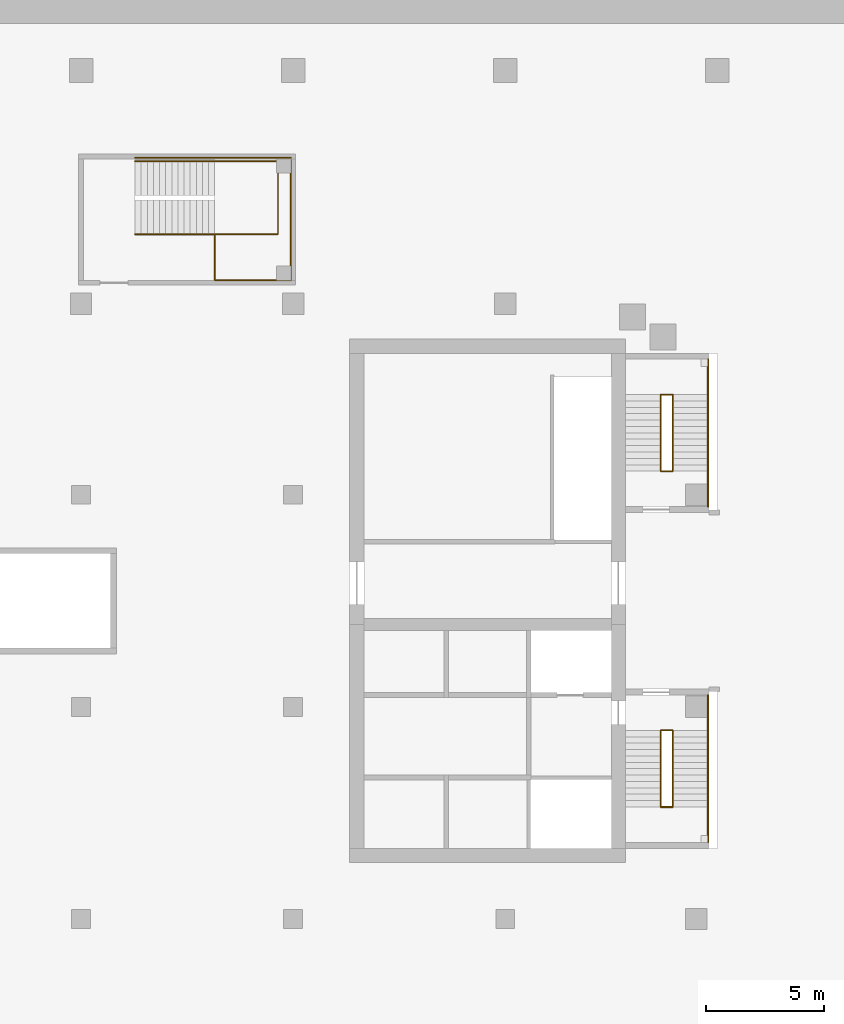
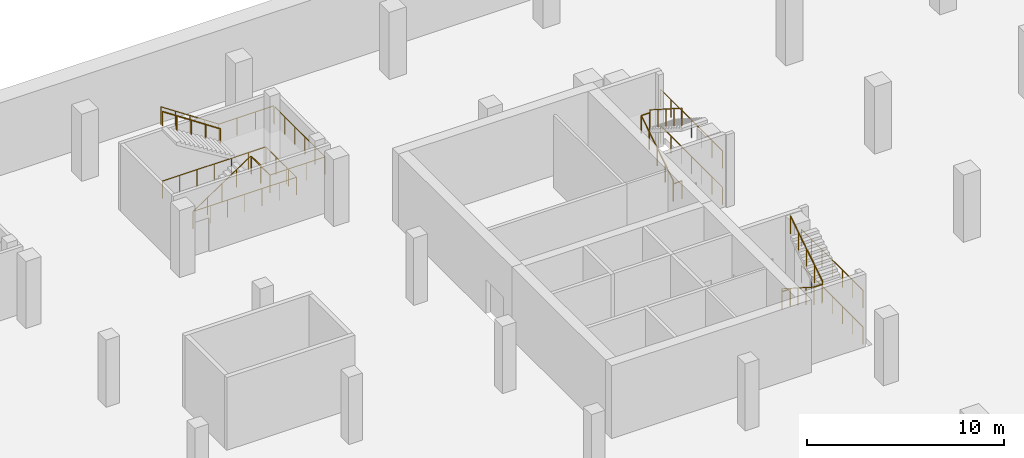
# One storey, part 13 of 16: 18 railings.
"""IFC4 building model written with IfcOpenShell, lengths in metres."""

from ifc_helpers import new_model, si_unit, direction, frame, origin, origin_2d, place, context, subcontext, project, spatial, circle, extrude, material, type_object, element, save


model = new_model("IFC4")

# Units and contexts
model_context = context("Model", 3, precision=1e-05, world=origin(), true_north=direction((0.0, 1.0)))
body_context = subcontext(model_context, "Body", "Model", "MODEL_VIEW")
ifc_project = project(units=[si_unit("LENGTHUNIT", "METRE"), si_unit("AREAUNIT", "SQUARE_METRE"), si_unit("VOLUMEUNIT", "CUBIC_METRE"), si_unit("PLANEANGLEUNIT", "RADIAN"), si_unit("MASSUNIT", "GRAM", prefix="KILO")], contexts=[model_context])

# Site, building, storey
site_placement = place(None, origin())
site = spatial("IfcSite", under=ifc_project, at=site_placement, CompositionType="ELEMENT")
building_placement = place(site_placement, origin())
building = spatial("IfcBuilding", under=site, at=building_placement, Name="Cinnabar Reach Civic Tower", CompositionType="ELEMENT")
storey_placement = place(building_placement, frame((0.0, 0.0, -9.5)))
storey = spatial("IfcBuildingStorey", under=building, at=storey_placement, Name="B2", CompositionType="ELEMENT", Elevation=-9.5)

# Railings
ifc_material_1 = material(Name="Stainless steel and glass", Category="steel")
railing_type_1 = type_object("IfcRailingType", Name="Podium guard 1100", PredefinedType="GUARDRAIL", material=ifc_material_1)
railing_1_placement = place(storey_placement, frame((-51.7, 47.05, 0.0)))
element("IfcRailing", 1, at=railing_1_placement, inside=storey, type_object=railing_type_1, Name="Stair guard PS7 B2", PredefinedType="GUARDRAIL", context=body_context, shape_type="SweptSolid", body=[
    extrude(circle(Radius=0.024, at=origin_2d()), frame((0.0, 0.0, 1.076), z_axis=(0.832428993721, 0.0, 0.554131726589), x_axis=(0.0, 1.0, 0.0)), (0.0, 0.0, 1.0), 4.0604),
    extrude(circle(Radius=0.021, at=origin_2d()), origin(), (0.0, 0.0, 1.0), 1.052),
    extrude(circle(Radius=0.021, at=origin_2d()), frame((0.845, 0.0, 0.5625)), (0.0, 0.0, 1.0), 1.052),
    extrude(circle(Radius=0.021, at=origin_2d()), frame((1.69, 0.0, 1.125)), (0.0, 0.0, 1.0), 1.052),
    extrude(circle(Radius=0.021, at=origin_2d()), frame((2.535, 0.0, 1.6875)), (0.0, 0.0, 1.0), 1.052),
    extrude(circle(Radius=0.021, at=origin_2d()), frame((3.38, 0.0, 2.25)), (0.0, 0.0, 1.0), 1.052),
])
railing_2_placement = place(storey_placement, frame((-48.32, 45.1, 2.25)))
element("IfcRailing", 2, at=railing_2_placement, inside=storey, type_object=railing_type_1, Name="Landing guard PS7 B2", PredefinedType="GUARDRAIL", context=body_context, shape_type="SweptSolid", body=[
    extrude(circle(Radius=0.024, at=origin_2d()), frame((0.0, 0.0, 1.076), z_axis=(1.0, 0.0, 0.0), x_axis=(0.0, 1.0, 0.0)), (0.0, 0.0, 1.0), 3.22),
    extrude(circle(Radius=0.024, at=origin_2d()), frame((3.22, 0.0, 1.076), z_axis=(0.0, 1.0, 0.0), x_axis=(-1.0, 0.0, 0.0)), (0.0, 0.0, 1.0), 5.1),
    extrude(circle(Radius=0.021, at=origin_2d()), origin(), (0.0, 0.0, 1.0), 1.052),
    extrude(circle(Radius=0.021, at=origin_2d()), frame((1.0733, 0.0, 0.0)), (0.0, 0.0, 1.0), 1.052),
    extrude(circle(Radius=0.021, at=origin_2d()), frame((2.1467, 0.0, 0.0)), (0.0, 0.0, 1.0), 1.052),
    extrude(circle(Radius=0.021, at=origin_2d()), frame((3.22, 0.0, 0.0)), (0.0, 0.0, 1.0), 1.052),
    extrude(circle(Radius=0.021, at=origin_2d()), frame((3.22, 1.02, 0.0)), (0.0, 0.0, 1.0), 1.052),
    extrude(circle(Radius=0.021, at=origin_2d()), frame((3.22, 2.04, 0.0)), (0.0, 0.0, 1.0), 1.052),
    extrude(circle(Radius=0.021, at=origin_2d()), frame((3.22, 3.06, 0.0)), (0.0, 0.0, 1.0), 1.052),
    extrude(circle(Radius=0.021, at=origin_2d()), frame((3.22, 4.08, 0.0)), (0.0, 0.0, 1.0), 1.052),
    extrude(circle(Radius=0.021, at=origin_2d()), frame((3.22, 5.1, 0.0)), (0.0, 0.0, 1.0), 1.052),
])
railing_3_placement = place(storey_placement, frame((-48.32, 45.1, 2.25)))
element("IfcRailing", 3, at=railing_3_placement, inside=storey, type_object=railing_type_1, Name="Landing guard PS7 B2 inner", PredefinedType="GUARDRAIL", context=body_context, shape_type="SweptSolid", body=[
    extrude(circle(Radius=0.024, at=origin_2d()), frame((0.0, 0.0, 1.076), z_axis=(0.0, 1.0, 0.0), x_axis=(-1.0, 0.0, 0.0)), (0.0, 0.0, 1.0), 1.9),
    extrude(circle(Radius=0.021, at=origin_2d()), origin(), (0.0, 0.0, 1.0), 1.052),
    extrude(circle(Radius=0.021, at=origin_2d()), frame((0.0, 0.95, 0.0)), (0.0, 0.0, 1.0), 1.052),
    extrude(circle(Radius=0.021, at=origin_2d()), frame((0.0, 1.9, 0.0)), (0.0, 0.0, 1.0), 1.052),
])
railing_4_placement = place(storey_placement, frame((-45.1, 50.3, 2.25)))
element("IfcRailing", 4, at=railing_4_placement, inside=storey, type_object=railing_type_1, Name="Stair wall side guard PS7 B2", PredefinedType="GUARDRAIL", context=body_context, shape_type="SweptSolid", body=[
    extrude(circle(Radius=0.024, at=origin_2d()), frame((0.0, 0.0, 1.076), z_axis=(-1.0, 0.0, 0.0), x_axis=(0.0, -1.0, 0.0)), (0.0, 0.0, 1.0), 3.22),
    extrude(circle(Radius=0.024, at=origin_2d()), frame((-3.22, 0.0, 1.076), z_axis=(-0.832428993721, 0.0, 0.554131726589), x_axis=(0.0, -1.0, 0.0)), (0.0, 0.0, 1.0), 4.0604),
    extrude(circle(Radius=0.021, at=origin_2d()), origin(), (0.0, 0.0, 1.0), 1.052),
    extrude(circle(Radius=0.021, at=origin_2d()), frame((-1.0733, 0.0, 0.0)), (0.0, 0.0, 1.0), 1.052),
    extrude(circle(Radius=0.021, at=origin_2d()), frame((-2.1467, 0.0, 0.0)), (0.0, 0.0, 1.0), 1.052),
    extrude(circle(Radius=0.021, at=origin_2d()), frame((-3.22, 0.0, 0.0)), (0.0, 0.0, 1.0), 1.052),
    extrude(circle(Radius=0.021, at=origin_2d()), frame((-4.065, 0.0, 0.5625)), (0.0, 0.0, 1.0), 1.052),
    extrude(circle(Radius=0.021, at=origin_2d()), frame((-4.91, 0.0, 1.125)), (0.0, 0.0, 1.0), 1.052),
    extrude(circle(Radius=0.021, at=origin_2d()), frame((-5.755, 0.0, 1.6875)), (0.0, 0.0, 1.0), 1.052),
    extrude(circle(Radius=0.021, at=origin_2d()), frame((-6.6, 0.0, 2.25)), (0.0, 0.0, 1.0), 1.052),
])
railing_5_placement = place(storey_placement, frame((-51.7, 47.05, 0.0)))
element("IfcRailing", 5, at=railing_5_placement, inside=storey, type_object=railing_type_1, Name="Stair well guard PS7 B2", PredefinedType="GUARDRAIL", context=body_context, shape_type="SweptSolid", body=[
    extrude(circle(Radius=0.024, at=origin_2d()), frame((0.0, 0.0, 1.076), z_axis=(1.0, 0.0, 0.0), x_axis=(0.0, 1.0, 0.0)), (0.0, 0.0, 1.0), 6.05),
    extrude(circle(Radius=0.024, at=origin_2d()), frame((6.05, 0.0, 1.076), z_axis=(0.0, 1.0, 0.0), x_axis=(-1.0, 0.0, 0.0)), (0.0, 0.0, 1.0), 3.1),
    extrude(circle(Radius=0.024, at=origin_2d()), frame((6.05, 3.1, 1.076), z_axis=(-1.0, 0.0, 0.0), x_axis=(0.0, -1.0, 0.0)), (0.0, 0.0, 1.0), 6.05),
    extrude(circle(Radius=0.021, at=origin_2d()), origin(), (0.0, 0.0, 1.0), 1.052),
    extrude(circle(Radius=0.021, at=origin_2d()), frame((1.0083, 0.0, 0.0)), (0.0, 0.0, 1.0), 1.052),
    extrude(circle(Radius=0.021, at=origin_2d()), frame((2.0167, 0.0, 0.0)), (0.0, 0.0, 1.0), 1.052),
    extrude(circle(Radius=0.021, at=origin_2d()), frame((3.025, 0.0, 0.0)), (0.0, 0.0, 1.0), 1.052),
    extrude(circle(Radius=0.021, at=origin_2d()), frame((4.0333, 0.0, 0.0)), (0.0, 0.0, 1.0), 1.052),
    extrude(circle(Radius=0.021, at=origin_2d()), frame((5.0417, 0.0, 0.0)), (0.0, 0.0, 1.0), 1.052),
    extrude(circle(Radius=0.021, at=origin_2d()), frame((6.05, 0.0, 0.0)), (0.0, 0.0, 1.0), 1.052),
    extrude(circle(Radius=0.021, at=origin_2d()), frame((6.05, 1.0333, 0.0)), (0.0, 0.0, 1.0), 1.052),
    extrude(circle(Radius=0.021, at=origin_2d()), frame((6.05, 2.0667, 0.0)), (0.0, 0.0, 1.0), 1.052),
    extrude(circle(Radius=0.021, at=origin_2d()), frame((6.05, 3.1, 0.0)), (0.0, 0.0, 1.0), 1.052),
    extrude(circle(Radius=0.021, at=origin_2d()), frame((5.0417, 3.1, 0.0)), (0.0, 0.0, 1.0), 1.052),
    extrude(circle(Radius=0.021, at=origin_2d()), frame((4.0333, 3.1, 0.0)), (0.0, 0.0, 1.0), 1.052),
    extrude(circle(Radius=0.021, at=origin_2d()), frame((3.025, 3.1, 0.0)), (0.0, 0.0, 1.0), 1.052),
    extrude(circle(Radius=0.021, at=origin_2d()), frame((2.0167, 3.1, 0.0)), (0.0, 0.0, 1.0), 1.052),
    extrude(circle(Radius=0.021, at=origin_2d()), frame((1.0083, 3.1, 0.0)), (0.0, 0.0, 1.0), 1.052),
    extrude(circle(Radius=0.021, at=origin_2d()), frame((0.0, 3.1, 0.0)), (0.0, 0.0, 1.0), 1.052),
])
ifc_material_2 = material(Name="Stainless steel", Category="steel")
railing_type_2 = type_object("IfcRailingType", Name="Podium stair handrail 900", PredefinedType="HANDRAIL", material=ifc_material_2)
railing_6_placement = place(storey_placement, frame((-48.32, 50.15, 2.25)))
element("IfcRailing", 6, at=railing_6_placement, inside=storey, type_object=railing_type_2, Name="Stair handrail PS7 B2", PredefinedType="HANDRAIL", context=body_context, shape_type="SweptSolid", body=[
    extrude(circle(Radius=0.024, at=origin_2d()), frame((0.0, 0.0, 0.876), z_axis=(-0.832428993721, 0.0, 0.554131726589), x_axis=(0.0, -1.0, 0.0)), (0.0, 0.0, 1.0), 4.0604),
    extrude(circle(Radius=0.021, at=origin_2d()), origin(), (0.0, 0.0, 1.0), 0.852),
    extrude(circle(Radius=0.021, at=origin_2d()), frame((-0.845, 0.0, 0.5625)), (0.0, 0.0, 1.0), 0.852),
    extrude(circle(Radius=0.021, at=origin_2d()), frame((-1.69, 0.0, 1.125)), (0.0, 0.0, 1.0), 0.852),
    extrude(circle(Radius=0.021, at=origin_2d()), frame((-2.535, 0.0, 1.6875)), (0.0, 0.0, 1.0), 0.852),
    extrude(circle(Radius=0.021, at=origin_2d()), frame((-3.38, 0.0, 2.25)), (0.0, 0.0, 1.0), 0.852),
])
railing_type_3 = type_object("IfcRailingType", Name="T2 Stair guard 1100", PredefinedType="GUARDRAIL", material=ifc_material_2)
for number, where, name in (
    (7, (-27.4, 21.25, 0.0), "Stair guard 1"),
    (8, (-27.4, 21.25, 2.25), "Stair guard 1"),
):
    element("IfcRailing", number, at=place(storey_placement, frame(where)), inside=storey, type_object=railing_type_3, Name=name, PredefinedType="GUARDRAIL", context=body_context, shape_type="SweptSolid", body=[
        extrude(circle(Radius=0.024, at=origin_2d()), frame((0.0, 0.0, 1.076), z_axis=(0.0, 1.0, 0.0), x_axis=(-1.0, 0.0, 0.0)), (0.0, 0.0, 1.0), 6.25),
        extrude(circle(Radius=0.021, at=origin_2d()), origin(), (0.0, 0.0, 1.0), 1.052),
        extrude(circle(Radius=0.021, at=origin_2d()), frame((0.0, 1.0417, 0.0)), (0.0, 0.0, 1.0), 1.052),
        extrude(circle(Radius=0.021, at=origin_2d()), frame((0.0, 2.0833, 0.0)), (0.0, 0.0, 1.0), 1.052),
        extrude(circle(Radius=0.021, at=origin_2d()), frame((0.0, 3.125, 0.0)), (0.0, 0.0, 1.0), 1.052),
        extrude(circle(Radius=0.021, at=origin_2d()), frame((0.0, 4.1667, 0.0)), (0.0, 0.0, 1.0), 1.052),
        extrude(circle(Radius=0.021, at=origin_2d()), frame((0.0, 5.2083, 0.0)), (0.0, 0.0, 1.0), 1.052),
        extrude(circle(Radius=0.021, at=origin_2d()), frame((0.0, 6.25, 0.0)), (0.0, 0.0, 1.0), 1.052),
    ])
for number, where, name in (
    (9, (-29.4, 26.0, 0.0), "Stair guard 1"),
    (10, (-29.4, 22.75, 2.25), "Stair guard 1"),
):
    element("IfcRailing", number, at=place(storey_placement, frame(where)), inside=storey, type_object=railing_type_3, Name=name, PredefinedType="GUARDRAIL", context=body_context, shape_type="SweptSolid", body=[
        extrude(circle(Radius=0.024, at=origin_2d()), frame((0.0, 0.0, 1.076), z_axis=(1.0, 0.0, 0.0), x_axis=(0.0, 1.0, 0.0)), (0.0, 0.0, 1.0), 0.5),
        extrude(circle(Radius=0.021, at=origin_2d()), origin(), (0.0, 0.0, 1.0), 1.052),
        extrude(circle(Radius=0.021, at=origin_2d()), frame((0.5, 0.0, 0.0)), (0.0, 0.0, 1.0), 1.052),
    ])
railing_7_placement = place(storey_placement, frame((-29.4, 26.0, 0.1731)))
element("IfcRailing", 11, at=railing_7_placement, inside=storey, type_object=railing_type_3, Name="Stair guard 1", PredefinedType="GUARDRAIL", context=body_context, shape_type="SweptSolid", body=[
    extrude(circle(Radius=0.024, at=origin_2d()), frame((0.0, 0.0, 1.076), z_axis=(0.0, -0.842636131715, 0.538483379064), x_axis=(1.0, 0.0, 0.0)), (0.0, 0.0, 1.0), 3.8569),
    extrude(circle(Radius=0.021, at=origin_2d()), origin(), (0.0, 0.0, 1.0), 1.052),
    extrude(circle(Radius=0.021, at=origin_2d()), frame((0.0, -0.8125, 0.5192)), (0.0, 0.0, 1.0), 1.052),
    extrude(circle(Radius=0.021, at=origin_2d()), frame((0.0, -1.625, 1.0385)), (0.0, 0.0, 1.0), 1.052),
    extrude(circle(Radius=0.021, at=origin_2d()), frame((0.0, -2.4375, 1.5577)), (0.0, 0.0, 1.0), 1.052),
    extrude(circle(Radius=0.021, at=origin_2d()), frame((0.0, -3.25, 2.0769)), (0.0, 0.0, 1.0), 1.052),
])
railing_8_placement = place(storey_placement, frame((-28.9, 22.75, 2.4231)))
element("IfcRailing", 12, at=railing_8_placement, inside=storey, type_object=railing_type_3, Name="Stair guard 1", PredefinedType="GUARDRAIL", context=body_context, shape_type="SweptSolid", body=[
    extrude(circle(Radius=0.024, at=origin_2d()), frame((0.0, 0.0, 1.076), z_axis=(0.0, 0.842636131715, 0.538483379064), x_axis=(-1.0, 0.0, 0.0)), (0.0, 0.0, 1.0), 3.8569),
    extrude(circle(Radius=0.021, at=origin_2d()), origin(), (0.0, 0.0, 1.0), 1.052),
    extrude(circle(Radius=0.021, at=origin_2d()), frame((0.0, 0.8125, 0.5192)), (0.0, 0.0, 1.0), 1.052),
    extrude(circle(Radius=0.021, at=origin_2d()), frame((0.0, 1.625, 1.0385)), (0.0, 0.0, 1.0), 1.052),
    extrude(circle(Radius=0.021, at=origin_2d()), frame((0.0, 2.4375, 1.5577)), (0.0, 0.0, 1.0), 1.052),
    extrude(circle(Radius=0.021, at=origin_2d()), frame((0.0, 3.25, 2.0769)), (0.0, 0.0, 1.0), 1.052),
])
for number, where, name in (
    (13, (-27.4, 35.5, 0.0), "Stair guard 2"),
    (14, (-27.4, 35.5, 2.25), "Stair guard 2"),
):
    element("IfcRailing", number, at=place(storey_placement, frame(where)), inside=storey, type_object=railing_type_3, Name=name, PredefinedType="GUARDRAIL", context=body_context, shape_type="SweptSolid", body=[
        extrude(circle(Radius=0.024, at=origin_2d()), frame((0.0, 0.0, 1.076), z_axis=(0.0, 1.0, 0.0), x_axis=(-1.0, 0.0, 0.0)), (0.0, 0.0, 1.0), 6.25),
        extrude(circle(Radius=0.021, at=origin_2d()), origin(), (0.0, 0.0, 1.0), 1.052),
        extrude(circle(Radius=0.021, at=origin_2d()), frame((0.0, 1.0417, 0.0)), (0.0, 0.0, 1.0), 1.052),
        extrude(circle(Radius=0.021, at=origin_2d()), frame((0.0, 2.0833, 0.0)), (0.0, 0.0, 1.0), 1.052),
        extrude(circle(Radius=0.021, at=origin_2d()), frame((0.0, 3.125, 0.0)), (0.0, 0.0, 1.0), 1.052),
        extrude(circle(Radius=0.021, at=origin_2d()), frame((0.0, 4.1667, 0.0)), (0.0, 0.0, 1.0), 1.052),
        extrude(circle(Radius=0.021, at=origin_2d()), frame((0.0, 5.2083, 0.0)), (0.0, 0.0, 1.0), 1.052),
        extrude(circle(Radius=0.021, at=origin_2d()), frame((0.0, 6.25, 0.0)), (0.0, 0.0, 1.0), 1.052),
    ])
for number, where, name in (
    (15, (-29.4, 37.0, 0.0), "Stair guard 2"),
    (16, (-29.4, 40.25, 2.25), "Stair guard 2"),
):
    element("IfcRailing", number, at=place(storey_placement, frame(where)), inside=storey, type_object=railing_type_3, Name=name, PredefinedType="GUARDRAIL", context=body_context, shape_type="SweptSolid", body=[
        extrude(circle(Radius=0.024, at=origin_2d()), frame((0.0, 0.0, 1.076), z_axis=(1.0, 0.0, 0.0), x_axis=(0.0, 1.0, 0.0)), (0.0, 0.0, 1.0), 0.5),
        extrude(circle(Radius=0.021, at=origin_2d()), origin(), (0.0, 0.0, 1.0), 1.052),
        extrude(circle(Radius=0.021, at=origin_2d()), frame((0.5, 0.0, 0.0)), (0.0, 0.0, 1.0), 1.052),
    ])
railing_9_placement = place(storey_placement, frame((-29.4, 37.0, 0.1731)))
element("IfcRailing", 17, at=railing_9_placement, inside=storey, type_object=railing_type_3, Name="Stair guard 2", PredefinedType="GUARDRAIL", context=body_context, shape_type="SweptSolid", body=[
    extrude(circle(Radius=0.024, at=origin_2d()), frame((0.0, 0.0, 1.076), z_axis=(0.0, 0.842636131715, 0.538483379064), x_axis=(-1.0, 0.0, 0.0)), (0.0, 0.0, 1.0), 3.8569),
    extrude(circle(Radius=0.021, at=origin_2d()), origin(), (0.0, 0.0, 1.0), 1.052),
    extrude(circle(Radius=0.021, at=origin_2d()), frame((0.0, 0.8125, 0.5192)), (0.0, 0.0, 1.0), 1.052),
    extrude(circle(Radius=0.021, at=origin_2d()), frame((0.0, 1.625, 1.0385)), (0.0, 0.0, 1.0), 1.052),
    extrude(circle(Radius=0.021, at=origin_2d()), frame((0.0, 2.4375, 1.5577)), (0.0, 0.0, 1.0), 1.052),
    extrude(circle(Radius=0.021, at=origin_2d()), frame((0.0, 3.25, 2.0769)), (0.0, 0.0, 1.0), 1.052),
])
railing_10_placement = place(storey_placement, frame((-28.9, 40.25, 2.4231)))
element("IfcRailing", 18, at=railing_10_placement, inside=storey, type_object=railing_type_3, Name="Stair guard 2", PredefinedType="GUARDRAIL", context=body_context, shape_type="SweptSolid", body=[
    extrude(circle(Radius=0.024, at=origin_2d()), frame((0.0, 0.0, 1.076), z_axis=(0.0, -0.842636131715, 0.538483379064), x_axis=(1.0, 0.0, 0.0)), (0.0, 0.0, 1.0), 3.8569),
    extrude(circle(Radius=0.021, at=origin_2d()), origin(), (0.0, 0.0, 1.0), 1.052),
    extrude(circle(Radius=0.021, at=origin_2d()), frame((0.0, -0.8125, 0.5192)), (0.0, 0.0, 1.0), 1.052),
    extrude(circle(Radius=0.021, at=origin_2d()), frame((0.0, -1.625, 1.0385)), (0.0, 0.0, 1.0), 1.052),
    extrude(circle(Radius=0.021, at=origin_2d()), frame((0.0, -2.4375, 1.5577)), (0.0, 0.0, 1.0), 1.052),
    extrude(circle(Radius=0.021, at=origin_2d()), frame((0.0, -3.25, 2.0769)), (0.0, 0.0, 1.0), 1.052),
])

save(model, "model.ifc")
